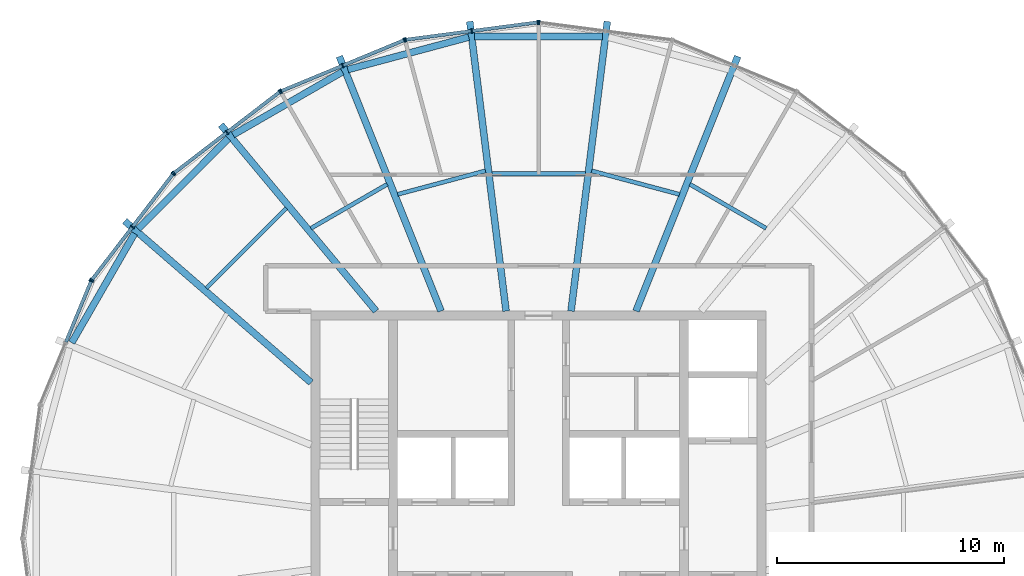
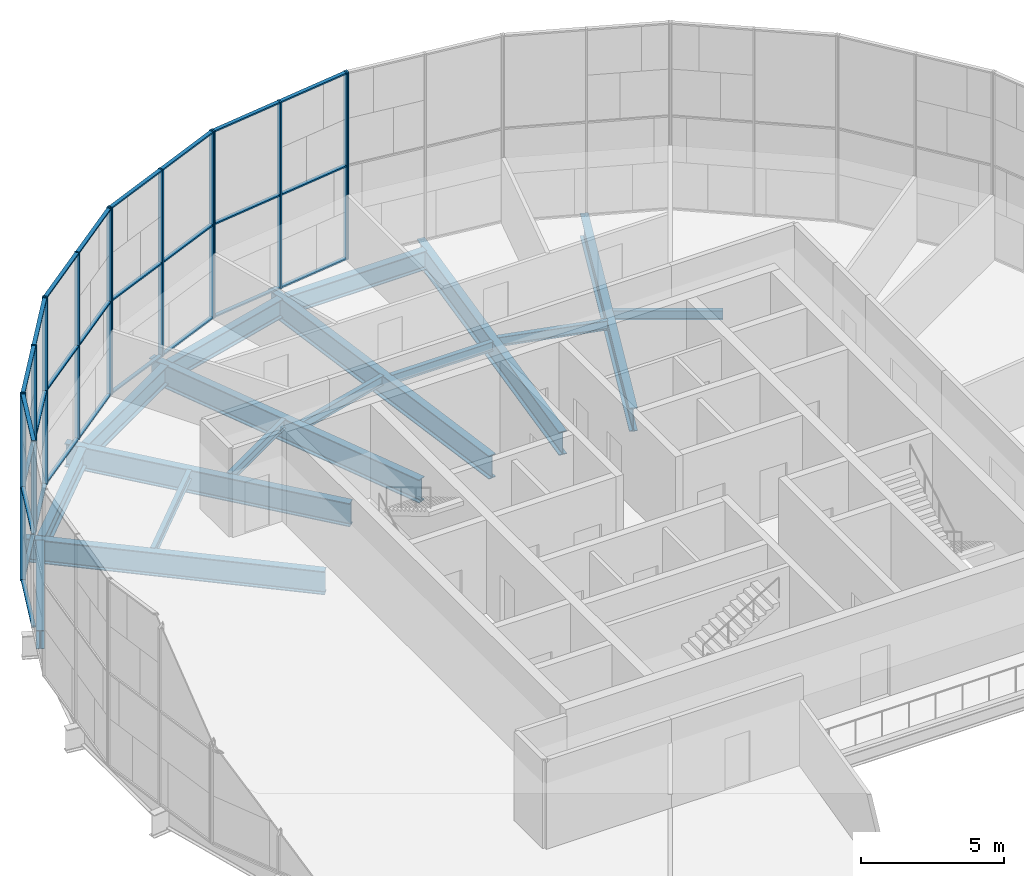
# One storey, part 6 of 19: 41 members, 17 beams, 6 elements without a shape of their own.
"""IFC4 building model written with IfcOpenShell, lengths in metres."""

from ifc_helpers import new_model, si_unit, direction, frame, origin, origin_2d, place, context, subcontext, project, spatial, rectangle, i_section, extrude, material, material_profile, profile_set, type_object, element, aggregate, save


model = new_model("IFC4")

# Units and contexts
model_context = context("Model", 3, precision=1e-05, world=origin(), true_north=direction((0.0, 1.0)))
body_context = subcontext(model_context, "Body", "Model", "MODEL_VIEW")
ifc_project = project(units=[si_unit("LENGTHUNIT", "METRE"), si_unit("AREAUNIT", "SQUARE_METRE"), si_unit("VOLUMEUNIT", "CUBIC_METRE"), si_unit("PLANEANGLEUNIT", "RADIAN"), si_unit("MASSUNIT", "GRAM", prefix="KILO")], contexts=[model_context])

# Site, building, storey
site_placement = place(None, origin())
site = spatial("IfcSite", under=ifc_project, at=site_placement, CompositionType="ELEMENT")
building_placement = place(site_placement, origin())
building = spatial("IfcBuilding", under=site, at=building_placement, Name="Golbaran Civic Tower", CompositionType="ELEMENT")
storey_placement = place(building_placement, frame((0.0, 0.0, 240.0)))
storey = spatial("IfcBuildingStorey", under=building, at=storey_placement, Name="L58", CompositionType="ELEMENT", Elevation=240.0)

# Beams
ifc_material_1 = material(Name="Steel S355", Category="steel")
ifc_material_profile_1 = material_profile(ifc_material_1, i_section(OverallWidth=0.300048828125, OverallDepth=0.800048828125, WebThickness=0.017578125, FlangeThickness=0.032958984375, FilletRadius=0.030029296875, at=origin_2d()), Name="HEB 800")
ifc_profile_set_1 = profile_set([ifc_material_profile_1], Name="Steel S355")
beam_type_1 = type_object("IfcBeamType", Name="EDGE BEAM HEB 800", PredefinedType="BEAM", material=ifc_profile_set_1)
beam_1_placement = place(storey_placement, frame((2.811767578125, 22.08056640625, -0.60009765625), z_axis=(-1.0, 0.0, 0.0), x_axis=(0.0, -1.0, 0.0)))
element("IfcBeam", 1, at=beam_1_placement, inside=storey, type_object=beam_type_1, Name="Edge beam 82.43 L58", PredefinedType="BEAM", context=body_context, shape_type="SweptSolid", body=[
    extrude(i_section(OverallWidth=0.300048828125, OverallDepth=0.800048828125, WebThickness=0.017578125, FlangeThickness=0.032958984375, FilletRadius=0.030029296875, at=origin_2d()), origin(), (0.0, 0.0, 1.0), 5.62353515625),
])
beam_2_placement = place(storey_placement, frame((-3.0693359375, 22.046630859375, -0.60009765625), z_axis=(-0.965791107787, -0.259321299009, 0.0), x_axis=(0.259321299009, -0.965791107787, 0.0)))
element("IfcBeam", 2, at=beam_2_placement, inside=storey, type_object=beam_type_1, Name="Edge beam 97.57 L58", PredefinedType="BEAM", context=body_context, shape_type="SweptSolid", body=[
    extrude(i_section(OverallWidth=0.300048828125, OverallDepth=0.800048828125, WebThickness=0.017578125, FlangeThickness=0.032958984375, FilletRadius=0.030029296875, at=origin_2d()), origin(), (0.0, 0.0, 1.0), 5.504638671875),
])
beam_3_placement = place(storey_placement, frame((-8.6259765625, 20.519775390625, -0.60009765625), z_axis=(-0.866378969457, -0.499387105642, 0.0), x_axis=(0.499387105642, -0.866378969457, 0.0)))
element("IfcBeam", 3, at=beam_3_placement, inside=storey, type_object=beam_type_1, Name="Edge beam 112.43 L58", PredefinedType="BEAM", context=body_context, shape_type="SweptSolid", body=[
    extrude(i_section(OverallWidth=0.300048828125, OverallDepth=0.800048828125, WebThickness=0.017578125, FlangeThickness=0.032958984375, FilletRadius=0.030029296875, at=origin_2d()), origin(), (0.0, 0.0, 1.0), 5.546875),
])
beam_4_placement = place(storey_placement, frame((-13.63818359375, 17.591552734375, -0.60009765625), z_axis=(-0.706758752811, -0.707454638352, 0.0), x_axis=(0.707454638352, -0.706758752811, 0.0)))
element("IfcBeam", 4, at=beam_4_placement, inside=storey, type_object=beam_type_1, Name="Edge beam 127.57 L58", PredefinedType="BEAM", context=body_context, shape_type="SweptSolid", body=[
    extrude(i_section(OverallWidth=0.300048828125, OverallDepth=0.800048828125, WebThickness=0.017578125, FlangeThickness=0.032958984375, FilletRadius=0.030029296875, at=origin_2d()), origin(), (0.0, 0.0, 1.0), 5.61328125),
])
beam_5_placement = place(storey_placement, frame((-17.763671875, 13.413330078125, -0.60009765625), z_axis=(-0.498624327536, -0.866818193158, 0.0), x_axis=(0.866818193158, -0.498624327536, 0.0)))
element("IfcBeam", 5, at=beam_5_placement, inside=storey, type_object=beam_type_1, Name="Edge beam 142.43 L58", PredefinedType="BEAM", context=body_context, shape_type="SweptSolid", body=[
    extrude(i_section(OverallWidth=0.300048828125, OverallDepth=0.800048828125, WebThickness=0.017578125, FlangeThickness=0.032958984375, FilletRadius=0.030029296875, at=origin_2d()), origin(), (0.0, 0.0, 1.0), 5.53857421875),
])
ifc_material_profile_2 = material_profile(ifc_material_1, i_section(OverallWidth=0.179931640625, OverallDepth=0.39990234375, WebThickness=0.008544921875, FlangeThickness=0.013427734375, FilletRadius=0.02099609375, at=origin_2d()), Name="IPE 400")
ifc_profile_set_2 = profile_set([ifc_material_profile_2], Name="Steel S355")
beam_type_2 = type_object("IfcBeamType", Name="FLOOR INFILL BEAM IPE 400", PredefinedType="BEAM", material=ifc_profile_set_2)
beam_6_placement = place(storey_placement, frame((10.007080078125, 13.64013671875, -0.39990234375), z_axis=(-0.866019745978, 0.500009799479, 0.0), x_axis=(-0.500009799479, -0.866019745978, 0.0)))
element("IfcBeam", 6, at=beam_6_placement, inside=storey, type_object=beam_type_2, Name="Infill beam 60.00 L58", PredefinedType="BEAM", context=body_context, shape_type="SweptSolid", body=[
    extrude(i_section(OverallWidth=0.179931640625, OverallDepth=0.39990234375, WebThickness=0.008544921875, FlangeThickness=0.013427734375, FilletRadius=0.02099609375, at=origin_2d()), origin(), (0.0, 0.0, 1.0), 3.87353515625),
])
beam_7_placement = place(storey_placement, frame((6.195068359375, 15.1328125, -0.39990234375), z_axis=(-0.965929247855, 0.258806275308, 0.0), x_axis=(-0.258806275308, -0.965929247855, 0.0)))
element("IfcBeam", 7, at=beam_7_placement, inside=storey, type_object=beam_type_2, Name="Infill beam 75.00 L58", PredefinedType="BEAM", context=body_context, shape_type="SweptSolid", body=[
    extrude(i_section(OverallWidth=0.179931640625, OverallDepth=0.39990234375, WebThickness=0.008544921875, FlangeThickness=0.013427734375, FilletRadius=0.02099609375, at=origin_2d()), origin(), (0.0, 0.0, 1.0), 3.998779296875),
])
beam_8_placement = place(storey_placement, frame((2.0546875, 16.040283203125, -0.39990234375), z_axis=(-1.0, 0.0, 0.0), x_axis=(0.0, -1.0, 0.0)))
element("IfcBeam", 8, at=beam_8_placement, inside=storey, type_object=beam_type_2, Name="Infill beam 90.00 L58", PredefinedType="BEAM", context=body_context, shape_type="SweptSolid", body=[
    extrude(i_section(OverallWidth=0.179931640625, OverallDepth=0.39990234375, WebThickness=0.008544921875, FlangeThickness=0.013427734375, FilletRadius=0.02099609375, at=origin_2d()), origin(), (0.0, 0.0, 1.0), 4.109375),
])
beam_9_placement = place(storey_placement, frame((-2.33251953125, 16.167724609375, -0.39990234375), z_axis=(-0.965929247855, -0.258806275308, 0.0), x_axis=(0.258806275308, -0.965929247855, 0.0)))
element("IfcBeam", 9, at=beam_9_placement, inside=storey, type_object=beam_type_2, Name="Infill beam 105.00 L58", PredefinedType="BEAM", context=body_context, shape_type="SweptSolid", body=[
    extrude(i_section(OverallWidth=0.179931640625, OverallDepth=0.39990234375, WebThickness=0.008544921875, FlangeThickness=0.013427734375, FilletRadius=0.02099609375, at=origin_2d()), origin(), (0.0, 0.0, 1.0), 3.998779296875),
])
beam_10_placement = place(storey_placement, frame((-6.652587890625, 15.576904296875, -0.39990234375), z_axis=(-0.866019745978, -0.500009799479, 0.0), x_axis=(0.500009799479, -0.866019745978, 0.0)))
element("IfcBeam", 10, at=beam_10_placement, inside=storey, type_object=beam_type_2, Name="Infill beam 120.00 L58", PredefinedType="BEAM", context=body_context, shape_type="SweptSolid", body=[
    extrude(i_section(OverallWidth=0.179931640625, OverallDepth=0.39990234375, WebThickness=0.008544921875, FlangeThickness=0.013427734375, FilletRadius=0.02099609375, at=origin_2d()), origin(), (0.0, 0.0, 1.0), 3.87353515625),
])
beam_11_placement = place(storey_placement, frame((-11.08544921875, 14.5283203125, -0.39990234375), z_axis=(-0.70713134758, -0.70708221394, 0.0), x_axis=(0.70708221394, -0.70713134758, 0.0)))
element("IfcBeam", 11, at=beam_11_placement, inside=storey, type_object=beam_type_2, Name="Infill beam 135.00 L58", PredefinedType="BEAM", context=body_context, shape_type="SweptSolid", body=[
    extrude(i_section(OverallWidth=0.179931640625, OverallDepth=0.39990234375, WebThickness=0.008544921875, FlangeThickness=0.013427734375, FilletRadius=0.02099609375, at=origin_2d()), origin(), (0.0, 0.0, 1.0), 4.968994140625),
])

# Curtain wall, member
ifc_material_2 = material(Name="Aluminium and glass", Category="aluminium")
curtain_wall_type = type_object("IfcCurtainWallType", Name="INNER SKIN CURTAIN WALL EXECUTIVE", PredefinedType="NOTDEFINED", material=ifc_material_2)
curtain_wall_1_placement = place(storey_placement, origin())
curtain_wall_1 = element("IfcCurtainWall", 12, at=curtain_wall_1_placement, inside=storey, type_object=curtain_wall_type, Name="Inner skin L58 facet 6 CW2", ObjectType="INNER SKIN", PredefinedType="USERDEFINED")
ifc_material_3 = material(Name="Aluminium", Category="aluminium")
ifc_material_profile_3 = material_profile(ifc_material_3, rectangle(XDim=0.199951171875, YDim=0.06005859375, at=origin_2d()), Name="INNER SKIN CURTAIN WALL EXECUTIVE MULLION")
ifc_profile_set_3 = profile_set([ifc_material_profile_3], Name="Aluminium")
member_type_1 = type_object("IfcMemberType", Name="INNER SKIN CURTAIN WALL EXECUTIVE MULLION", PredefinedType="MULLION", material=ifc_profile_set_3)
member_1_placement = place(storey_placement, frame((0.02978515625, 22.696044921875, 0.0), z_axis=(0.0, 0.0, 1.0), x_axis=(-0.130526192168, -0.991444861381, 0.0)))
member_1 = element("IfcMember", 13, at=member_1_placement, type_object=member_type_1, Name="CW2 mullion 3", PredefinedType="MULLION", context=body_context, shape_type="SweptSolid", body=[
    extrude(rectangle(XDim=0.199951171875, YDim=0.06005859375, at=origin_2d()), origin(), (0.0, 0.0, 1.0), 8.0),
])
aggregate(curtain_wall_1, [member_1])

# Curtain wall, members
curtain_wall_2_placement = place(storey_placement, origin())
curtain_wall_2 = element("IfcCurtainWall", 14, at=curtain_wall_2_placement, inside=storey, type_object=curtain_wall_type, Name="Inner skin L58 facet 7 CW2", ObjectType="INNER SKIN", PredefinedType="USERDEFINED")
member_2_placement = place(storey_placement, frame((-0.02978515625, 22.696044921875, 0.0), z_axis=(0.0, 0.0, 1.0), x_axis=(0.130526192168, -0.991444861381, 0.0)))
member_2 = element("IfcMember", 15, at=member_2_placement, type_object=member_type_1, Name="CW2 mullion 1", PredefinedType="MULLION", context=body_context, shape_type="SweptSolid", body=[
    extrude(rectangle(XDim=0.199951171875, YDim=0.06005859375, at=origin_2d()), origin(), (0.0, 0.0, 1.0), 8.0),
])
member_3_placement = place(storey_placement, frame((-2.9375, 22.313232421875, 0.0), z_axis=(0.0, 0.0, 1.0), x_axis=(0.130526192168, -0.991444861381, 0.0)))
member_3 = element("IfcMember", 16, at=member_3_placement, type_object=member_type_1, Name="CW2 mullion 2", PredefinedType="MULLION", context=body_context, shape_type="SweptSolid", body=[
    extrude(rectangle(XDim=0.199951171875, YDim=0.06005859375, at=origin_2d()), origin(), (0.0, 0.0, 1.0), 8.0),
])
member_4_placement = place(storey_placement, frame((-5.845458984375, 21.930419921875, 0.0), z_axis=(0.0, 0.0, 1.0), x_axis=(0.130526192168, -0.991444861381, 0.0)))
member_4 = element("IfcMember", 17, at=member_4_placement, type_object=member_type_1, Name="CW2 mullion 3", PredefinedType="MULLION", context=body_context, shape_type="SweptSolid", body=[
    extrude(rectangle(XDim=0.199951171875, YDim=0.06005859375, at=origin_2d()), origin(), (0.0, 0.0, 1.0), 8.0),
])

curtain_wall_3_placement = place(storey_placement, origin())
curtain_wall_3 = element("IfcCurtainWall", 18, at=curtain_wall_3_placement, inside=storey, type_object=curtain_wall_type, Name="Inner skin L58 facet 8 CW2", ObjectType="INNER SKIN", PredefinedType="USERDEFINED")
member_5_placement = place(storey_placement, frame((-5.90283203125, 21.9150390625, 0.0), z_axis=(0.0, 0.0, 1.0), x_axis=(0.382683432397, -0.923879532498, 0.0)))
member_5 = element("IfcMember", 19, at=member_5_placement, type_object=member_type_1, Name="CW2 mullion 1", PredefinedType="MULLION", context=body_context, shape_type="SweptSolid", body=[
    extrude(rectangle(XDim=0.199951171875, YDim=0.06005859375, at=origin_2d()), origin(), (0.0, 0.0, 1.0), 8.0),
])
member_6_placement = place(storey_placement, frame((-8.612548828125, 20.792724609375, 0.0), z_axis=(0.0, 0.0, 1.0), x_axis=(0.382683432397, -0.923879532498, 0.0)))
member_6 = element("IfcMember", 20, at=member_6_placement, type_object=member_type_1, Name="CW2 mullion 2", PredefinedType="MULLION", context=body_context, shape_type="SweptSolid", body=[
    extrude(rectangle(XDim=0.199951171875, YDim=0.06005859375, at=origin_2d()), origin(), (0.0, 0.0, 1.0), 8.0),
])
member_7_placement = place(storey_placement, frame((-11.322265625, 19.670166015625, 0.0), z_axis=(0.0, 0.0, 1.0), x_axis=(0.382683432397, -0.923879532498, 0.0)))
member_7 = element("IfcMember", 21, at=member_7_placement, type_object=member_type_1, Name="CW2 mullion 3", PredefinedType="MULLION", context=body_context, shape_type="SweptSolid", body=[
    extrude(rectangle(XDim=0.199951171875, YDim=0.06005859375, at=origin_2d()), origin(), (0.0, 0.0, 1.0), 8.0),
])

curtain_wall_4_placement = place(storey_placement, origin())
curtain_wall_4 = element("IfcCurtainWall", 22, at=curtain_wall_4_placement, inside=storey, type_object=curtain_wall_type, Name="Inner skin L58 facet 9 CW2", ObjectType="INNER SKIN", PredefinedType="USERDEFINED")
member_8_placement = place(storey_placement, frame((-11.373779296875, 19.640625, 0.0), z_axis=(0.0, 0.0, 1.0), x_axis=(0.608761429009, -0.793353340291, 0.0)))
member_8 = element("IfcMember", 23, at=member_8_placement, type_object=member_type_1, Name="CW2 mullion 1", PredefinedType="MULLION", context=body_context, shape_type="SweptSolid", body=[
    extrude(rectangle(XDim=0.199951171875, YDim=0.06005859375, at=origin_2d()), origin(), (0.0, 0.0, 1.0), 8.0),
])
member_9_placement = place(storey_placement, frame((-13.70068359375, 17.85498046875, 0.0), z_axis=(0.0, 0.0, 1.0), x_axis=(0.608761429009, -0.793353340291, 0.0)))
member_9 = element("IfcMember", 24, at=member_9_placement, type_object=member_type_1, Name="CW2 mullion 2", PredefinedType="MULLION", context=body_context, shape_type="SweptSolid", body=[
    extrude(rectangle(XDim=0.199951171875, YDim=0.06005859375, at=origin_2d()), origin(), (0.0, 0.0, 1.0), 8.0),
])
member_10_placement = place(storey_placement, frame((-16.027587890625, 16.069580078125, 0.0), z_axis=(0.0, 0.0, 1.0), x_axis=(0.608761429009, -0.793353340291, 0.0)))
member_10 = element("IfcMember", 25, at=member_10_placement, type_object=member_type_1, Name="CW2 mullion 3", PredefinedType="MULLION", context=body_context, shape_type="SweptSolid", body=[
    extrude(rectangle(XDim=0.199951171875, YDim=0.06005859375, at=origin_2d()), origin(), (0.0, 0.0, 1.0), 8.0),
])

curtain_wall_5_placement = place(storey_placement, origin())
curtain_wall_5 = element("IfcCurtainWall", 26, at=curtain_wall_5_placement, inside=storey, type_object=curtain_wall_type, Name="Inner skin L58 facet 10 CW2", ObjectType="INNER SKIN", PredefinedType="USERDEFINED")
member_11_placement = place(storey_placement, frame((-16.069580078125, 16.027587890625, 0.0), z_axis=(0.0, 0.0, 1.0), x_axis=(0.793353340291, -0.608761429009, 0.0)))
member_11 = element("IfcMember", 27, at=member_11_placement, type_object=member_type_1, Name="CW2 mullion 1", PredefinedType="MULLION", context=body_context, shape_type="SweptSolid", body=[
    extrude(rectangle(XDim=0.199951171875, YDim=0.06005859375, at=origin_2d()), origin(), (0.0, 0.0, 1.0), 8.0),
])
member_12_placement = place(storey_placement, frame((-17.85498046875, 13.70068359375, 0.0), z_axis=(0.0, 0.0, 1.0), x_axis=(0.793353340291, -0.608761429009, 0.0)))
member_12 = element("IfcMember", 28, at=member_12_placement, type_object=member_type_1, Name="CW2 mullion 2", PredefinedType="MULLION", context=body_context, shape_type="SweptSolid", body=[
    extrude(rectangle(XDim=0.199951171875, YDim=0.06005859375, at=origin_2d()), origin(), (0.0, 0.0, 1.0), 8.0),
])
member_13_placement = place(storey_placement, frame((-19.640625, 11.373779296875, 0.0), z_axis=(0.0, 0.0, 1.0), x_axis=(0.793353340291, -0.608761429009, 0.0)))
member_13 = element("IfcMember", 29, at=member_13_placement, type_object=member_type_1, Name="CW2 mullion 3", PredefinedType="MULLION", context=body_context, shape_type="SweptSolid", body=[
    extrude(rectangle(XDim=0.199951171875, YDim=0.06005859375, at=origin_2d()), origin(), (0.0, 0.0, 1.0), 8.0),
])

# Curtain wall, member
curtain_wall_6_placement = place(storey_placement, origin())
curtain_wall_6 = element("IfcCurtainWall", 30, at=curtain_wall_6_placement, inside=storey, type_object=curtain_wall_type, Name="Inner skin L58 facet 11 CW2", ObjectType="INNER SKIN", PredefinedType="USERDEFINED")
member_14_placement = place(storey_placement, frame((-19.670166015625, 11.322265625, 0.0), z_axis=(0.0, 0.0, 1.0), x_axis=(0.923879532498, -0.382683432397, 0.0)))
member_14 = element("IfcMember", 31, at=member_14_placement, type_object=member_type_1, Name="CW2 mullion 1", PredefinedType="MULLION", context=body_context, shape_type="SweptSolid", body=[
    extrude(rectangle(XDim=0.199951171875, YDim=0.06005859375, at=origin_2d()), origin(), (0.0, 0.0, 1.0), 8.0),
])

# Member
ifc_material_profile_4 = material_profile(ifc_material_3, rectangle(XDim=0.14990234375, YDim=0.06005859375, at=origin_2d()), Name="INNER SKIN CURTAIN WALL EXECUTIVE TRANSOM")
ifc_profile_set_4 = profile_set([ifc_material_profile_4], Name="Aluminium")
member_type_2 = type_object("IfcMemberType", Name="INNER SKIN CURTAIN WALL EXECUTIVE TRANSOM", PredefinedType="USERDEFINED", material=ifc_profile_set_4)
member_15_placement = place(storey_placement, frame((-0.0595703125, 22.692138671875, 0.030029296875), z_axis=(-0.991444747987, -0.130527053476, 0.0), x_axis=(0.130527053476, -0.991444747987, 0.0)))
member_15 = element("IfcMember", 32, at=member_15_placement, type_object=member_type_2, Name="CW2 transom 1.1", ObjectType="TRANSOM", PredefinedType="USERDEFINED", context=body_context, shape_type="SweptSolid", body=[
    extrude(rectangle(XDim=0.14990234375, YDim=0.06005859375, at=origin_2d()), origin(), (0.0, 0.0, 1.0), 2.873046875),
])

member_16_placement = place(storey_placement, frame((-0.0595703125, 22.692138671875, 4.0), z_axis=(-0.991444747987, -0.130527053476, 0.0), x_axis=(0.130527053476, -0.991444747987, 0.0)))
member_16 = element("IfcMember", 33, at=member_16_placement, type_object=member_type_2, Name="CW2 transom 1.2", ObjectType="TRANSOM", PredefinedType="USERDEFINED", context=body_context, shape_type="SweptSolid", body=[
    extrude(rectangle(XDim=0.14990234375, YDim=0.06005859375, at=origin_2d()), origin(), (0.0, 0.0, 1.0), 2.873046875),
])

member_17_placement = place(storey_placement, frame((-0.0595703125, 22.692138671875, 7.969970703125), z_axis=(-0.991444747987, -0.130527053476, 0.0), x_axis=(0.130527053476, -0.991444747987, 0.0)))
member_17 = element("IfcMember", 34, at=member_17_placement, type_object=member_type_2, Name="CW2 transom 1.3", ObjectType="TRANSOM", PredefinedType="USERDEFINED", context=body_context, shape_type="SweptSolid", body=[
    extrude(rectangle(XDim=0.14990234375, YDim=0.06005859375, at=origin_2d()), origin(), (0.0, 0.0, 1.0), 2.873046875),
])

member_18_placement = place(storey_placement, frame((-2.96728515625, 22.309326171875, 0.030029296875), z_axis=(-0.991444747987, -0.130527053476, 0.0), x_axis=(0.130527053476, -0.991444747987, 0.0)))
member_18 = element("IfcMember", 35, at=member_18_placement, type_object=member_type_2, Name="CW2 transom 2.1", ObjectType="TRANSOM", PredefinedType="USERDEFINED", context=body_context, shape_type="SweptSolid", body=[
    extrude(rectangle(XDim=0.14990234375, YDim=0.06005859375, at=origin_2d()), origin(), (0.0, 0.0, 1.0), 2.873046875),
])

member_19_placement = place(storey_placement, frame((-2.96728515625, 22.309326171875, 4.0), z_axis=(-0.991444747987, -0.130527053476, 0.0), x_axis=(0.130527053476, -0.991444747987, 0.0)))
member_19 = element("IfcMember", 36, at=member_19_placement, type_object=member_type_2, Name="CW2 transom 2.2", ObjectType="TRANSOM", PredefinedType="USERDEFINED", context=body_context, shape_type="SweptSolid", body=[
    extrude(rectangle(XDim=0.14990234375, YDim=0.06005859375, at=origin_2d()), origin(), (0.0, 0.0, 1.0), 2.873046875),
])

member_20_placement = place(storey_placement, frame((-2.96728515625, 22.309326171875, 7.969970703125), z_axis=(-0.991444747987, -0.130527053476, 0.0), x_axis=(0.130527053476, -0.991444747987, 0.0)))
member_20 = element("IfcMember", 37, at=member_20_placement, type_object=member_type_2, Name="CW2 transom 2.3", ObjectType="TRANSOM", PredefinedType="USERDEFINED", context=body_context, shape_type="SweptSolid", body=[
    extrude(rectangle(XDim=0.14990234375, YDim=0.06005859375, at=origin_2d()), origin(), (0.0, 0.0, 1.0), 2.873046875),
])

aggregate(curtain_wall_2, [member_2, member_3, member_4, member_15, member_16, member_17, member_18, member_19, member_20])

member_21_placement = place(storey_placement, frame((-5.9306640625, 21.903564453125, 0.030029296875), z_axis=(-0.923889442397, -0.382659506909, 0.0), x_axis=(0.382659506909, -0.923889442397, 0.0)))
member_21 = element("IfcMember", 38, at=member_21_placement, type_object=member_type_2, Name="CW2 transom 1.1", ObjectType="TRANSOM", PredefinedType="USERDEFINED", context=body_context, shape_type="SweptSolid", body=[
    extrude(rectangle(XDim=0.14990234375, YDim=0.06005859375, at=origin_2d()), origin(), (0.0, 0.0, 1.0), 2.873046875),
])

member_22_placement = place(storey_placement, frame((-5.9306640625, 21.903564453125, 4.0), z_axis=(-0.923889442397, -0.382659506909, 0.0), x_axis=(0.382659506909, -0.923889442397, 0.0)))
member_22 = element("IfcMember", 39, at=member_22_placement, type_object=member_type_2, Name="CW2 transom 1.2", ObjectType="TRANSOM", PredefinedType="USERDEFINED", context=body_context, shape_type="SweptSolid", body=[
    extrude(rectangle(XDim=0.14990234375, YDim=0.06005859375, at=origin_2d()), origin(), (0.0, 0.0, 1.0), 2.873046875),
])

member_23_placement = place(storey_placement, frame((-5.9306640625, 21.903564453125, 7.969970703125), z_axis=(-0.923889442397, -0.382659506909, 0.0), x_axis=(0.382659506909, -0.923889442397, 0.0)))
member_23 = element("IfcMember", 40, at=member_23_placement, type_object=member_type_2, Name="CW2 transom 1.3", ObjectType="TRANSOM", PredefinedType="USERDEFINED", context=body_context, shape_type="SweptSolid", body=[
    extrude(rectangle(XDim=0.14990234375, YDim=0.06005859375, at=origin_2d()), origin(), (0.0, 0.0, 1.0), 2.873046875),
])

member_24_placement = place(storey_placement, frame((-8.640380859375, 20.78125, 0.030029296875), z_axis=(-0.923859397542, -0.382732038864, 0.0), x_axis=(0.382732038864, -0.923859397542, 0.0)))
member_24 = element("IfcMember", 41, at=member_24_placement, type_object=member_type_2, Name="CW2 transom 2.1", ObjectType="TRANSOM", PredefinedType="USERDEFINED", context=body_context, shape_type="SweptSolid", body=[
    extrude(rectangle(XDim=0.14990234375, YDim=0.06005859375, at=origin_2d()), origin(), (0.0, 0.0, 1.0), 2.873046875),
])

member_25_placement = place(storey_placement, frame((-8.640380859375, 20.78125, 4.0), z_axis=(-0.923859397542, -0.382732038864, 0.0), x_axis=(0.382732038864, -0.923859397542, 0.0)))
member_25 = element("IfcMember", 42, at=member_25_placement, type_object=member_type_2, Name="CW2 transom 2.2", ObjectType="TRANSOM", PredefinedType="USERDEFINED", context=body_context, shape_type="SweptSolid", body=[
    extrude(rectangle(XDim=0.14990234375, YDim=0.06005859375, at=origin_2d()), origin(), (0.0, 0.0, 1.0), 2.873046875),
])

member_26_placement = place(storey_placement, frame((-8.640380859375, 20.78125, 7.969970703125), z_axis=(-0.923859397542, -0.382732038864, 0.0), x_axis=(0.382732038864, -0.923859397542, 0.0)))
member_26 = element("IfcMember", 43, at=member_26_placement, type_object=member_type_2, Name="CW2 transom 2.3", ObjectType="TRANSOM", PredefinedType="USERDEFINED", context=body_context, shape_type="SweptSolid", body=[
    extrude(rectangle(XDim=0.14990234375, YDim=0.06005859375, at=origin_2d()), origin(), (0.0, 0.0, 1.0), 2.873046875),
])

aggregate(curtain_wall_3, [member_5, member_6, member_7, member_21, member_22, member_23, member_24, member_25, member_26])

member_27_placement = place(storey_placement, frame((-11.397705078125, 19.622314453125, 0.030029296875), z_axis=(-0.793312189687, -0.608815053767, 0.0), x_axis=(0.608815053767, -0.793312189687, 0.0)))
member_27 = element("IfcMember", 44, at=member_27_placement, type_object=member_type_2, Name="CW2 transom 1.1", ObjectType="TRANSOM", PredefinedType="USERDEFINED", context=body_context, shape_type="SweptSolid", body=[
    extrude(rectangle(XDim=0.14990234375, YDim=0.06005859375, at=origin_2d()), origin(), (0.0, 0.0, 1.0), 2.872802734375),
])

member_28_placement = place(storey_placement, frame((-11.397705078125, 19.622314453125, 4.0), z_axis=(-0.793312189687, -0.608815053767, 0.0), x_axis=(0.608815053767, -0.793312189687, 0.0)))
member_28 = element("IfcMember", 45, at=member_28_placement, type_object=member_type_2, Name="CW2 transom 1.2", ObjectType="TRANSOM", PredefinedType="USERDEFINED", context=body_context, shape_type="SweptSolid", body=[
    extrude(rectangle(XDim=0.14990234375, YDim=0.06005859375, at=origin_2d()), origin(), (0.0, 0.0, 1.0), 2.872802734375),
])

member_29_placement = place(storey_placement, frame((-11.397705078125, 19.622314453125, 7.969970703125), z_axis=(-0.793312189687, -0.608815053767, 0.0), x_axis=(0.608815053767, -0.793312189687, 0.0)))
member_29 = element("IfcMember", 46, at=member_29_placement, type_object=member_type_2, Name="CW2 transom 1.3", ObjectType="TRANSOM", PredefinedType="USERDEFINED", context=body_context, shape_type="SweptSolid", body=[
    extrude(rectangle(XDim=0.14990234375, YDim=0.06005859375, at=origin_2d()), origin(), (0.0, 0.0, 1.0), 2.872802734375),
])

member_30_placement = place(storey_placement, frame((-13.724365234375, 17.836669921875, 0.030029296875), z_axis=(-0.793384727104, -0.608720522734, 0.0), x_axis=(0.608720522734, -0.793384727104, 0.0)))
member_30 = element("IfcMember", 47, at=member_30_placement, type_object=member_type_2, Name="CW2 transom 2.1", ObjectType="TRANSOM", PredefinedType="USERDEFINED", context=body_context, shape_type="SweptSolid", body=[
    extrude(rectangle(XDim=0.14990234375, YDim=0.06005859375, at=origin_2d()), origin(), (0.0, 0.0, 1.0), 2.872802734375),
])

member_31_placement = place(storey_placement, frame((-13.724365234375, 17.836669921875, 4.0), z_axis=(-0.793384727104, -0.608720522734, 0.0), x_axis=(0.608720522734, -0.793384727104, 0.0)))
member_31 = element("IfcMember", 48, at=member_31_placement, type_object=member_type_2, Name="CW2 transom 2.2", ObjectType="TRANSOM", PredefinedType="USERDEFINED", context=body_context, shape_type="SweptSolid", body=[
    extrude(rectangle(XDim=0.14990234375, YDim=0.06005859375, at=origin_2d()), origin(), (0.0, 0.0, 1.0), 2.872802734375),
])

member_32_placement = place(storey_placement, frame((-13.724365234375, 17.836669921875, 7.969970703125), z_axis=(-0.793384727104, -0.608720522734, 0.0), x_axis=(0.608720522734, -0.793384727104, 0.0)))
member_32 = element("IfcMember", 49, at=member_32_placement, type_object=member_type_2, Name="CW2 transom 2.3", ObjectType="TRANSOM", PredefinedType="USERDEFINED", context=body_context, shape_type="SweptSolid", body=[
    extrude(rectangle(XDim=0.14990234375, YDim=0.06005859375, at=origin_2d()), origin(), (0.0, 0.0, 1.0), 2.872802734375),
])

aggregate(curtain_wall_4, [member_8, member_9, member_10, member_27, member_28, member_29, member_30, member_31, member_32])

member_33_placement = place(storey_placement, frame((-16.087890625, 16.003662109375, 0.030029296875), z_axis=(-0.608720522734, -0.793384727104, 0.0), x_axis=(0.793384727104, -0.608720522734, 0.0)))
member_33 = element("IfcMember", 50, at=member_33_placement, type_object=member_type_2, Name="CW2 transom 1.1", ObjectType="TRANSOM", PredefinedType="USERDEFINED", context=body_context, shape_type="SweptSolid", body=[
    extrude(rectangle(XDim=0.14990234375, YDim=0.06005859375, at=origin_2d()), origin(), (0.0, 0.0, 1.0), 2.872802734375),
])

member_34_placement = place(storey_placement, frame((-16.087890625, 16.003662109375, 4.0), z_axis=(-0.608720522734, -0.793384727104, 0.0), x_axis=(0.793384727104, -0.608720522734, 0.0)))
member_34 = element("IfcMember", 51, at=member_34_placement, type_object=member_type_2, Name="CW2 transom 1.2", ObjectType="TRANSOM", PredefinedType="USERDEFINED", context=body_context, shape_type="SweptSolid", body=[
    extrude(rectangle(XDim=0.14990234375, YDim=0.06005859375, at=origin_2d()), origin(), (0.0, 0.0, 1.0), 2.872802734375),
])

member_35_placement = place(storey_placement, frame((-16.087890625, 16.003662109375, 7.969970703125), z_axis=(-0.608720522734, -0.793384727104, 0.0), x_axis=(0.793384727104, -0.608720522734, 0.0)))
member_35 = element("IfcMember", 52, at=member_35_placement, type_object=member_type_2, Name="CW2 transom 1.3", ObjectType="TRANSOM", PredefinedType="USERDEFINED", context=body_context, shape_type="SweptSolid", body=[
    extrude(rectangle(XDim=0.14990234375, YDim=0.06005859375, at=origin_2d()), origin(), (0.0, 0.0, 1.0), 2.872802734375),
])

member_36_placement = place(storey_placement, frame((-17.873291015625, 13.6767578125, 0.030029296875), z_axis=(-0.608815053767, -0.793312189687, 0.0), x_axis=(0.793312189687, -0.608815053767, 0.0)))
member_36 = element("IfcMember", 53, at=member_36_placement, type_object=member_type_2, Name="CW2 transom 2.1", ObjectType="TRANSOM", PredefinedType="USERDEFINED", context=body_context, shape_type="SweptSolid", body=[
    extrude(rectangle(XDim=0.14990234375, YDim=0.06005859375, at=origin_2d()), origin(), (0.0, 0.0, 1.0), 2.872802734375),
])

member_37_placement = place(storey_placement, frame((-17.873291015625, 13.6767578125, 4.0), z_axis=(-0.608815053767, -0.793312189687, 0.0), x_axis=(0.793312189687, -0.608815053767, 0.0)))
member_37 = element("IfcMember", 54, at=member_37_placement, type_object=member_type_2, Name="CW2 transom 2.2", ObjectType="TRANSOM", PredefinedType="USERDEFINED", context=body_context, shape_type="SweptSolid", body=[
    extrude(rectangle(XDim=0.14990234375, YDim=0.06005859375, at=origin_2d()), origin(), (0.0, 0.0, 1.0), 2.872802734375),
])

member_38_placement = place(storey_placement, frame((-17.873291015625, 13.6767578125, 7.969970703125), z_axis=(-0.608815053767, -0.793312189687, 0.0), x_axis=(0.793312189687, -0.608815053767, 0.0)))
member_38 = element("IfcMember", 55, at=member_38_placement, type_object=member_type_2, Name="CW2 transom 2.3", ObjectType="TRANSOM", PredefinedType="USERDEFINED", context=body_context, shape_type="SweptSolid", body=[
    extrude(rectangle(XDim=0.14990234375, YDim=0.06005859375, at=origin_2d()), origin(), (0.0, 0.0, 1.0), 2.872802734375),
])

aggregate(curtain_wall_5, [member_11, member_12, member_13, member_33, member_34, member_35, member_36, member_37, member_38])

member_39_placement = place(storey_placement, frame((-19.681640625, 11.294677734375, 0.030029296875), z_axis=(-0.382732038864, -0.923859397542, 0.0), x_axis=(0.923859397542, -0.382732038864, 0.0)))
member_39 = element("IfcMember", 56, at=member_39_placement, type_object=member_type_2, Name="CW2 transom 1.1", ObjectType="TRANSOM", PredefinedType="USERDEFINED", context=body_context, shape_type="SweptSolid", body=[
    extrude(rectangle(XDim=0.14990234375, YDim=0.06005859375, at=origin_2d()), origin(), (0.0, 0.0, 1.0), 2.873046875),
])

member_40_placement = place(storey_placement, frame((-19.681640625, 11.294677734375, 4.0), z_axis=(-0.382732038864, -0.923859397542, 0.0), x_axis=(0.923859397542, -0.382732038864, 0.0)))
member_40 = element("IfcMember", 57, at=member_40_placement, type_object=member_type_2, Name="CW2 transom 1.2", ObjectType="TRANSOM", PredefinedType="USERDEFINED", context=body_context, shape_type="SweptSolid", body=[
    extrude(rectangle(XDim=0.14990234375, YDim=0.06005859375, at=origin_2d()), origin(), (0.0, 0.0, 1.0), 2.873046875),
])

member_41_placement = place(storey_placement, frame((-19.681640625, 11.294677734375, 7.969970703125), z_axis=(-0.382732038864, -0.923859397542, 0.0), x_axis=(0.923859397542, -0.382732038864, 0.0)))
member_41 = element("IfcMember", 58, at=member_41_placement, type_object=member_type_2, Name="CW2 transom 1.3", ObjectType="TRANSOM", PredefinedType="USERDEFINED", context=body_context, shape_type="SweptSolid", body=[
    extrude(rectangle(XDim=0.14990234375, YDim=0.06005859375, at=origin_2d()), origin(), (0.0, 0.0, 1.0), 2.873046875),
])

aggregate(curtain_wall_6, [member_14, member_39, member_40, member_41])

# Beams
ifc_material_profile_5 = material_profile(ifc_material_1, i_section(OverallWidth=0.300048828125, OverallDepth=1.0, WebThickness=0.01904296875, FlangeThickness=0.035888671875, FilletRadius=0.030029296875, at=origin_2d()), Name="HEB 1000")
ifc_profile_set_5 = profile_set([ifc_material_profile_5], Name="Steel S355")
beam_type_3 = type_object("IfcBeamType", Name="RADIAL FLOOR BEAM HEB 1000", PredefinedType="BEAM", material=ifc_profile_set_5)
beam_12_placement = place(storey_placement, frame((4.28564453125, 10.0, -0.7099609375), z_axis=(0.370832028329, 0.928699955188, 0.0), x_axis=(-0.928699955188, 0.370832028329, 0.0)))
element("IfcBeam", 59, at=beam_12_placement, inside=storey, type_object=beam_type_3, Name="Radial beam 67.57 L58", PredefinedType="BEAM", context=body_context, shape_type="SweptSolid", body=[
    extrude(i_section(OverallWidth=0.300048828125, OverallDepth=1.0, WebThickness=0.01904296875, FlangeThickness=0.035888671875, FilletRadius=0.030029296875, at=origin_2d()), origin(), (0.0, 0.0, 1.0), 12.05712890625),
])
for number, where, z_axis, x_axis, name in (
    (60, (1.428466796875, 10.0, -0.7099609375), (0.124362482678, 0.992236853227, 0.0), (-0.992236853227, 0.124362482678, 0.0), "Radial beam 82.43 L58"),
    (61, (-1.428466796875, 10.0, -0.7099609375), (-0.124362482678, 0.992236853227, 0.0), (-0.992236853227, -0.124362482678, 0.0), "Radial beam 97.57 L58"),
):
    element("IfcBeam", number, at=place(storey_placement, frame(where, z_axis=z_axis, x_axis=x_axis)), inside=storey, type_object=beam_type_3, Name=name, PredefinedType="BEAM", context=body_context, shape_type="SweptSolid", body=[
        extrude(i_section(OverallWidth=0.300048828125, OverallDepth=1.0, WebThickness=0.01904296875, FlangeThickness=0.035888671875, FilletRadius=0.030029296875, at=origin_2d()), origin(), (0.0, 0.0, 1.0), 12.8349609375),
    ])
beam_13_placement = place(storey_placement, frame((-4.28564453125, 10.0, -0.7099609375), z_axis=(-0.370832028329, 0.928699955188, 0.0), x_axis=(-0.928699955188, -0.370832028329, 0.0)))
element("IfcBeam", 62, at=beam_13_placement, inside=storey, type_object=beam_type_3, Name="Radial beam 112.43 L58", PredefinedType="BEAM", context=body_context, shape_type="SweptSolid", body=[
    extrude(i_section(OverallWidth=0.300048828125, OverallDepth=1.0, WebThickness=0.01904296875, FlangeThickness=0.035888671875, FilletRadius=0.030029296875, at=origin_2d()), origin(), (0.0, 0.0, 1.0), 12.05712890625),
])
beam_14_placement = place(storey_placement, frame((-7.142822265625, 10.0, -0.7099609375), z_axis=(-0.640184399664, 0.768221279597, 0.0), x_axis=(-0.768221279597, -0.640184399664, 0.0)))
element("IfcBeam", 63, at=beam_14_placement, inside=storey, type_object=beam_type_3, Name="Radial beam 127.57 L58", PredefinedType="BEAM", context=body_context, shape_type="SweptSolid", body=[
    extrude(i_section(OverallWidth=0.300048828125, OverallDepth=1.0, WebThickness=0.01904296875, FlangeThickness=0.035888671875, FilletRadius=0.030029296875, at=origin_2d()), origin(), (0.0, 0.0, 1.0), 10.660888671875),
])
beam_15_placement = place(storey_placement, frame((-10.0, 6.857177734375, -0.7099609375), z_axis=(-0.755712851544, 0.654903111927, 0.0), x_axis=(-0.654903111927, -0.755712851544, 0.0)))
element("IfcBeam", 64, at=beam_15_placement, inside=storey, type_object=beam_type_3, Name="Radial beam 142.43 L58", PredefinedType="BEAM", context=body_context, shape_type="SweptSolid", body=[
    extrude(i_section(OverallWidth=0.300048828125, OverallDepth=1.0, WebThickness=0.01904296875, FlangeThickness=0.035888671875, FilletRadius=0.030029296875, at=origin_2d()), origin(), (0.0, 0.0, 1.0), 10.8447265625),
])

save(model, "model.ifc")
